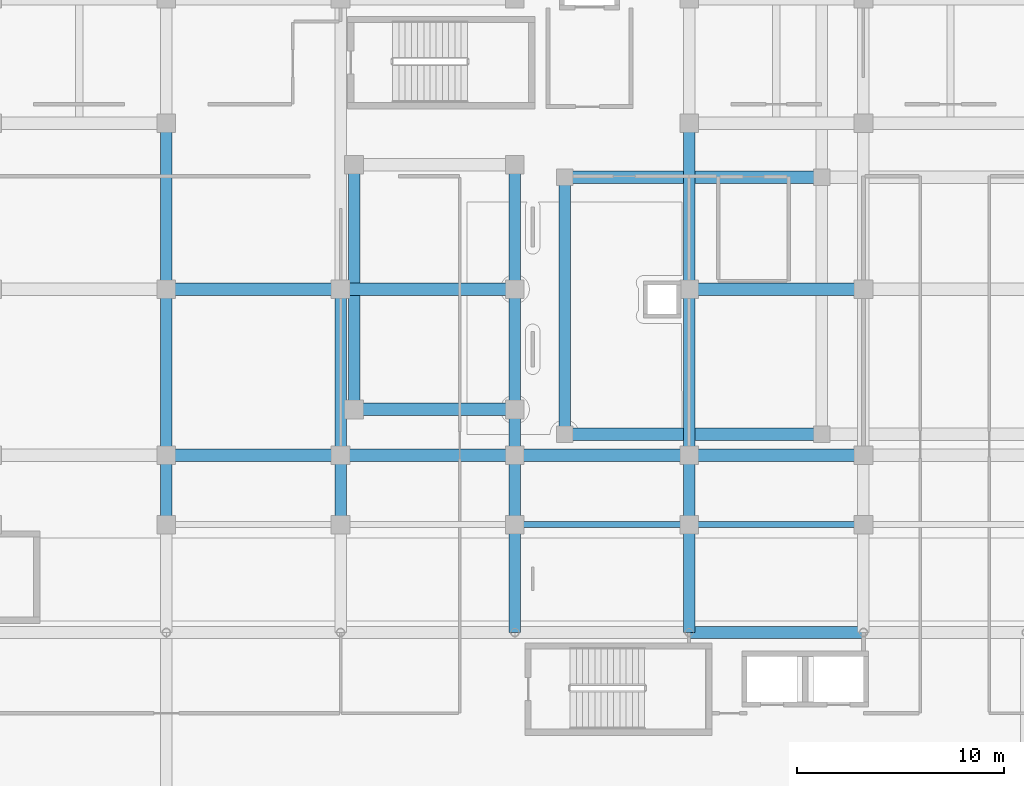
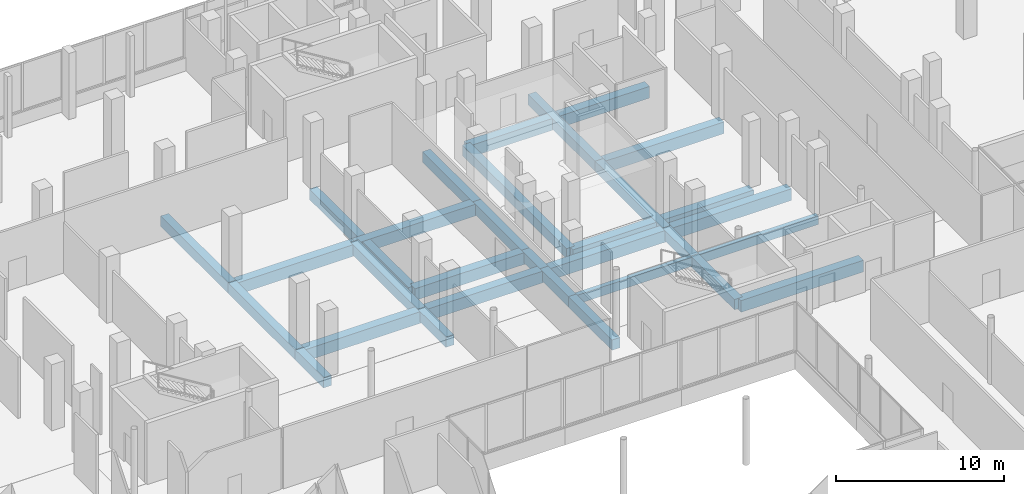
# One storey, part 75 of 168: 29 beams.
"""IFC4 building model written with IfcOpenShell, lengths in metres."""

from ifc_helpers import new_model, si_unit, direction, frame, origin, origin_2d, place, context, subcontext, project, spatial, rectangle, extrude, material, material_profile, profile_set, type_object, element, save


model = new_model("IFC4")

# Units and contexts
model_context = context("Model", 3, precision=1e-05, world=origin(), true_north=direction((0.0, 1.0)))
body_context = subcontext(model_context, "Body", "Model", "MODEL_VIEW")
ifc_project = project(units=[si_unit("LENGTHUNIT", "METRE"), si_unit("AREAUNIT", "SQUARE_METRE"), si_unit("VOLUMEUNIT", "CUBIC_METRE"), si_unit("PLANEANGLEUNIT", "RADIAN"), si_unit("MASSUNIT", "GRAM", prefix="KILO")], contexts=[model_context])

# Site, building, storey
site_placement = place(None, origin())
site = spatial("IfcSite", under=ifc_project, at=site_placement, CompositionType="ELEMENT")
building_placement = place(site_placement, origin())
building = spatial("IfcBuilding", under=site, at=building_placement, Name="Selatvlak General Hospital", CompositionType="ELEMENT")
storey_placement = place(building_placement, frame((0.0, 0.0, 5.39990234375)))
storey = spatial("IfcBuildingStorey", under=building, at=storey_placement, Name="L01", CompositionType="ELEMENT", Elevation=5.39990234375)

# Beams
ifc_material = material(Name="Concrete C40/50", Category="concrete")
ifc_material_profile_1 = material_profile(ifc_material, rectangle(XDim=0.60009765625, YDim=0.85009765625, at=origin_2d()), Name="RC-BM 600x850")
ifc_profile_set_1 = profile_set([ifc_material_profile_1], Name="Concrete C40/50")
beam_type_1 = type_object("IfcBeamType", Name="BM-G01", PredefinedType="BEAM", material=ifc_profile_set_1)
for number, where, z_axis, x_axis, name in (
    (1, (64.800048828125, 83.449951171875, -0.744873046875), (1.0, 0.0, 0.0), (0.0, 1.0, 0.0), "Beam BMR-L01-0427"),
    (2, (39.60009765625, 92.0, -0.744873046875), (1.0, 0.0, 0.0), (0.0, 1.0, 0.0), "Beam BMR-L01-0454"),
    (3, (48.0, 92.0, -0.744873046875), (1.0, 0.0, 0.0), (0.0, 1.0, 0.0), "Beam BMR-L01-0455"),
):
    element("IfcBeam", number, at=place(storey_placement, frame(where, z_axis=z_axis, x_axis=x_axis)), inside=storey, type_object=beam_type_1, Name=name, PredefinedType="BEAM", context=body_context, shape_type="SweptSolid", body=[
        extrude(rectangle(XDim=0.60009765625, YDim=0.85009765625, at=origin_2d()), origin(), (0.0, 0.0, 1.0), 8.39990234375),
    ])
beam_1_placement = place(storey_placement, frame((56.39990234375, 92.0, -0.744873046875), z_axis=(1.0, 0.0, 0.0), x_axis=(0.0, 1.0, 0.0)))
element("IfcBeam", 4, at=beam_1_placement, inside=storey, type_object=beam_type_1, Name="Beam BMR-L01-0456", PredefinedType="BEAM", context=body_context, shape_type="SweptSolid", body=[
    extrude(rectangle(XDim=0.60009765625, YDim=0.85009765625, at=origin_2d()), origin(), (0.0, 0.0, 1.0), 8.400146484375),
])
beam_2_placement = place(storey_placement, frame((64.800048828125, 92.0, -0.744873046875), z_axis=(1.0, 0.0, 0.0), x_axis=(0.0, 1.0, 0.0)))
element("IfcBeam", 5, at=beam_2_placement, inside=storey, type_object=beam_type_1, Name="Beam BMR-L01-0457", PredefinedType="BEAM", context=body_context, shape_type="SweptSolid", body=[
    extrude(rectangle(XDim=0.60009765625, YDim=0.85009765625, at=origin_2d()), origin(), (0.0, 0.0, 1.0), 8.39990234375),
])
beam_3_placement = place(storey_placement, frame((58.800048828125, 93.0, -0.744873046875), z_axis=(1.0, 0.0, 0.0), x_axis=(0.0, 1.0, 0.0)))
element("IfcBeam", 6, at=beam_3_placement, inside=storey, type_object=beam_type_1, Name="Beam BMR-L01-0472", PredefinedType="BEAM", context=body_context, shape_type="SweptSolid", body=[
    extrude(rectangle(XDim=0.60009765625, YDim=0.85009765625, at=origin_2d()), origin(), (0.0, 0.0, 1.0), 12.39990234375),
])
beam_4_placement = place(storey_placement, frame((48.64990234375, 94.199951171875, -0.744873046875), z_axis=(1.0, 0.0, 0.0), x_axis=(0.0, 1.0, 0.0)))
element("IfcBeam", 7, at=beam_4_placement, inside=storey, type_object=beam_type_1, Name="Beam BMR-L01-0474", PredefinedType="BEAM", context=body_context, shape_type="SweptSolid", body=[
    extrude(rectangle(XDim=0.60009765625, YDim=0.85009765625, at=origin_2d()), origin(), (0.0, 0.0, 1.0), 7.75),
])
for number, where, z_axis, x_axis, name in (
    (8, (39.60009765625, 100.0, -0.744873046875), (1.0, 0.0, 0.0), (0.0, 1.0, 0.0), "Beam BMR-L01-0477"),
    (9, (48.0, 100.0, -0.744873046875), (1.0, 0.0, 0.0), (0.0, 1.0, 0.0), "Beam BMR-L01-0478"),
    (10, (64.800048828125, 100.0, -0.744873046875), (1.0, 0.0, 0.0), (0.0, 1.0, 0.0), "Beam BMR-L01-0479"),
):
    element("IfcBeam", number, at=place(storey_placement, frame(where, z_axis=z_axis, x_axis=x_axis)), inside=storey, type_object=beam_type_1, Name=name, PredefinedType="BEAM", context=body_context, shape_type="SweptSolid", body=[
        extrude(rectangle(XDim=0.60009765625, YDim=0.85009765625, at=origin_2d()), origin(), (0.0, 0.0, 1.0), 8.39990234375),
    ])
beam_5_placement = place(storey_placement, frame((58.800048828125, 105.39990234375, -0.744873046875), z_axis=(1.0, 0.0, 0.0), x_axis=(0.0, 1.0, 0.0)))
element("IfcBeam", 11, at=beam_5_placement, inside=storey, type_object=beam_type_1, Name="Beam BMR-L01-0492", PredefinedType="BEAM", context=body_context, shape_type="SweptSolid", body=[
    extrude(rectangle(XDim=0.60009765625, YDim=0.85009765625, at=origin_2d()), origin(), (0.0, 0.0, 1.0), 12.39990234375),
])
ifc_material_profile_2 = material_profile(ifc_material, rectangle(XDim=0.550048828125, YDim=0.75, at=origin_2d()), Name="RC-BM 550x750")
ifc_profile_set_2 = profile_set([ifc_material_profile_2], Name="Concrete C40/50")
beam_type_2 = type_object("IfcBeamType", Name="BM-G02", PredefinedType="BEAM", material=ifc_profile_set_2)
beam_6_placement = place(storey_placement, frame((39.60009765625, 88.64990234375, -0.69482421875), z_axis=(0.0, 1.0, 0.0), x_axis=(-1.0, 0.0, 0.0)))
element("IfcBeam", 12, at=beam_6_placement, inside=storey, type_object=beam_type_2, Name="Beam BMR-L01-0562", PredefinedType="BEAM", context=body_context, shape_type="SweptSolid", body=[
    extrude(rectangle(XDim=0.550048828125, YDim=0.75, at=origin_2d()), origin(), (0.0, 0.0, 1.0), 3.35009765625),
])
for number, where, z_axis, x_axis, name in (
    (13, (39.60009765625, 92.0, -0.69482421875), (0.0, 1.0, 0.0), (-1.0, 0.0, 0.0), "Beam BMR-L01-0563"),
    (14, (39.60009765625, 100.0, -0.69482421875), (0.0, 1.0, 0.0), (-1.0, 0.0, 0.0), "Beam BMR-L01-0564"),
):
    element("IfcBeam", number, at=place(storey_placement, frame(where, z_axis=z_axis, x_axis=x_axis)), inside=storey, type_object=beam_type_2, Name=name, PredefinedType="BEAM", context=body_context, shape_type="SweptSolid", body=[
        extrude(rectangle(XDim=0.550048828125, YDim=0.75, at=origin_2d()), origin(), (0.0, 0.0, 1.0), 8.0),
    ])
beam_7_placement = place(storey_placement, frame((48.0, 88.64990234375, -0.69482421875), z_axis=(0.0, 1.0, 0.0), x_axis=(-1.0, 0.0, 0.0)))
element("IfcBeam", 15, at=beam_7_placement, inside=storey, type_object=beam_type_2, Name="Beam BMR-L01-0568", PredefinedType="BEAM", context=body_context, shape_type="SweptSolid", body=[
    extrude(rectangle(XDim=0.550048828125, YDim=0.75, at=origin_2d()), origin(), (0.0, 0.0, 1.0), 3.35009765625),
])
beam_8_placement = place(storey_placement, frame((48.0, 92.0, -0.69482421875), z_axis=(0.0, 1.0, 0.0), x_axis=(-1.0, 0.0, 0.0)))
element("IfcBeam", 16, at=beam_8_placement, inside=storey, type_object=beam_type_2, Name="Beam BMR-L01-0569", PredefinedType="BEAM", context=body_context, shape_type="SweptSolid", body=[
    extrude(rectangle(XDim=0.550048828125, YDim=0.75, at=origin_2d()), origin(), (0.0, 0.0, 1.0), 8.0),
])
beam_9_placement = place(storey_placement, frame((48.64990234375, 94.199951171875, -0.69482421875), z_axis=(0.0, 1.0, 0.0), x_axis=(-1.0, 0.0, 0.0)))
element("IfcBeam", 17, at=beam_9_placement, inside=storey, type_object=beam_type_2, Name="Beam BMR-L01-0571", PredefinedType="BEAM", context=body_context, shape_type="SweptSolid", body=[
    extrude(rectangle(XDim=0.550048828125, YDim=0.75, at=origin_2d()), origin(), (0.0, 0.0, 1.0), 11.800048828125),
])
beam_10_placement = place(storey_placement, frame((56.39990234375, 83.449951171875, -0.69482421875), z_axis=(0.0, 1.0, 0.0), x_axis=(-1.0, 0.0, 0.0)))
element("IfcBeam", 18, at=beam_10_placement, inside=storey, type_object=beam_type_2, Name="Beam BMR-L01-0572", PredefinedType="BEAM", context=body_context, shape_type="SweptSolid", body=[
    extrude(rectangle(XDim=0.550048828125, YDim=0.75, at=origin_2d()), origin(), (0.0, 0.0, 1.0), 5.199951171875),
])
beam_11_placement = place(storey_placement, frame((56.39990234375, 88.64990234375, -0.69482421875), z_axis=(0.0, 1.0, 0.0), x_axis=(-1.0, 0.0, 0.0)))
element("IfcBeam", 19, at=beam_11_placement, inside=storey, type_object=beam_type_2, Name="Beam BMR-L01-0573", PredefinedType="BEAM", context=body_context, shape_type="SweptSolid", body=[
    extrude(rectangle(XDim=0.550048828125, YDim=0.75, at=origin_2d()), origin(), (0.0, 0.0, 1.0), 3.35009765625),
])
beam_12_placement = place(storey_placement, frame((56.39990234375, 92.0, -0.69482421875), z_axis=(0.0, 1.0, 0.0), x_axis=(-1.0, 0.0, 0.0)))
element("IfcBeam", 20, at=beam_12_placement, inside=storey, type_object=beam_type_2, Name="Beam BMR-L01-0574", PredefinedType="BEAM", context=body_context, shape_type="SweptSolid", body=[
    extrude(rectangle(XDim=0.550048828125, YDim=0.75, at=origin_2d()), origin(), (0.0, 0.0, 1.0), 2.199951171875),
])
beam_13_placement = place(storey_placement, frame((56.39990234375, 94.199951171875, -0.69482421875), z_axis=(0.0, 1.0, 0.0), x_axis=(-1.0, 0.0, 0.0)))
element("IfcBeam", 21, at=beam_13_placement, inside=storey, type_object=beam_type_2, Name="Beam BMR-L01-0575", PredefinedType="BEAM", context=body_context, shape_type="SweptSolid", body=[
    extrude(rectangle(XDim=0.550048828125, YDim=0.75, at=origin_2d()), origin(), (0.0, 0.0, 1.0), 5.800048828125),
])
beam_14_placement = place(storey_placement, frame((56.39990234375, 100.0, -0.69482421875), z_axis=(0.0, 1.0, 0.0), x_axis=(-1.0, 0.0, 0.0)))
element("IfcBeam", 22, at=beam_14_placement, inside=storey, type_object=beam_type_2, Name="Beam BMR-L01-0576", PredefinedType="BEAM", context=body_context, shape_type="SweptSolid", body=[
    extrude(rectangle(XDim=0.550048828125, YDim=0.75, at=origin_2d()), origin(), (0.0, 0.0, 1.0), 6.0),
])
beam_15_placement = place(storey_placement, frame((58.800048828125, 93.0, -0.69482421875), z_axis=(0.0, 1.0, 0.0), x_axis=(-1.0, 0.0, 0.0)))
element("IfcBeam", 23, at=beam_15_placement, inside=storey, type_object=beam_type_2, Name="Beam BMR-L01-0578", PredefinedType="BEAM", context=body_context, shape_type="SweptSolid", body=[
    extrude(rectangle(XDim=0.550048828125, YDim=0.75, at=origin_2d()), origin(), (0.0, 0.0, 1.0), 12.39990234375),
])
beam_16_placement = place(storey_placement, frame((64.800048828125, 83.449951171875, -0.69482421875), z_axis=(0.0, 1.0, 0.0), x_axis=(-1.0, 0.0, 0.0)))
element("IfcBeam", 24, at=beam_16_placement, inside=storey, type_object=beam_type_2, Name="Beam BMR-L01-0580", PredefinedType="BEAM", context=body_context, shape_type="SweptSolid", body=[
    extrude(rectangle(XDim=0.550048828125, YDim=0.75, at=origin_2d()), origin(), (0.0, 0.0, 1.0), 5.199951171875),
])
beam_17_placement = place(storey_placement, frame((64.800048828125, 88.64990234375, -0.69482421875), z_axis=(0.0, 1.0, 0.0), x_axis=(-1.0, 0.0, 0.0)))
element("IfcBeam", 25, at=beam_17_placement, inside=storey, type_object=beam_type_2, Name="Beam BMR-L01-0581", PredefinedType="BEAM", context=body_context, shape_type="SweptSolid", body=[
    extrude(rectangle(XDim=0.550048828125, YDim=0.75, at=origin_2d()), origin(), (0.0, 0.0, 1.0), 3.35009765625),
])
for number, where, z_axis, x_axis, name in (
    (26, (64.800048828125, 92.0, -0.69482421875), (0.0, 1.0, 0.0), (-1.0, 0.0, 0.0), "Beam BMR-L01-0582"),
    (27, (64.800048828125, 100.0, -0.69482421875), (0.0, 1.0, 0.0), (-1.0, 0.0, 0.0), "Beam BMR-L01-0583"),
):
    element("IfcBeam", number, at=place(storey_placement, frame(where, z_axis=z_axis, x_axis=x_axis)), inside=storey, type_object=beam_type_2, Name=name, PredefinedType="BEAM", context=body_context, shape_type="SweptSolid", body=[
        extrude(rectangle(XDim=0.550048828125, YDim=0.75, at=origin_2d()), origin(), (0.0, 0.0, 1.0), 8.0),
    ])
ifc_material_profile_3 = material_profile(ifc_material, rectangle(XDim=0.300048828125, YDim=0.64990234375, at=origin_2d()), Name="RC-SP 300x650")
ifc_profile_set_3 = profile_set([ifc_material_profile_3], Name="Concrete C40/50")
beam_type_3 = type_object("IfcBeamType", Name="BM-SP1", PredefinedType="SPANDREL", material=ifc_profile_set_3)
beam_18_placement = place(storey_placement, frame((56.39990234375, 88.64990234375, -0.64501953125), z_axis=(1.0, 0.0, 0.0), x_axis=(0.0, 1.0, 0.0)))
element("IfcBeam", 28, at=beam_18_placement, inside=storey, type_object=beam_type_3, Name="Beam BMR-L01-0436", PredefinedType="SPANDREL", context=body_context, shape_type="SweptSolid", body=[
    extrude(rectangle(XDim=0.300048828125, YDim=0.64990234375, at=origin_2d()), origin(), (0.0, 0.0, 1.0), 8.400146484375),
])
beam_19_placement = place(storey_placement, frame((64.800048828125, 88.64990234375, -0.64501953125), z_axis=(1.0, 0.0, 0.0), x_axis=(0.0, 1.0, 0.0)))
element("IfcBeam", 29, at=beam_19_placement, inside=storey, type_object=beam_type_3, Name="Beam BMR-L01-0437", PredefinedType="SPANDREL", context=body_context, shape_type="SweptSolid", body=[
    extrude(rectangle(XDim=0.300048828125, YDim=0.64990234375, at=origin_2d()), origin(), (0.0, 0.0, 1.0), 8.39990234375),
])

save(model, "model.ifc")
